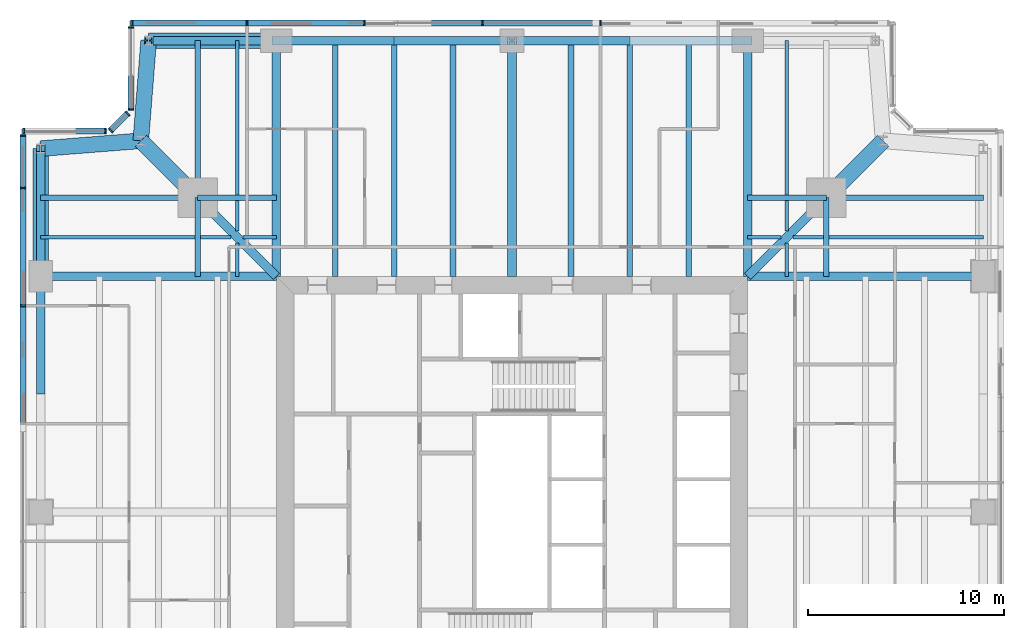
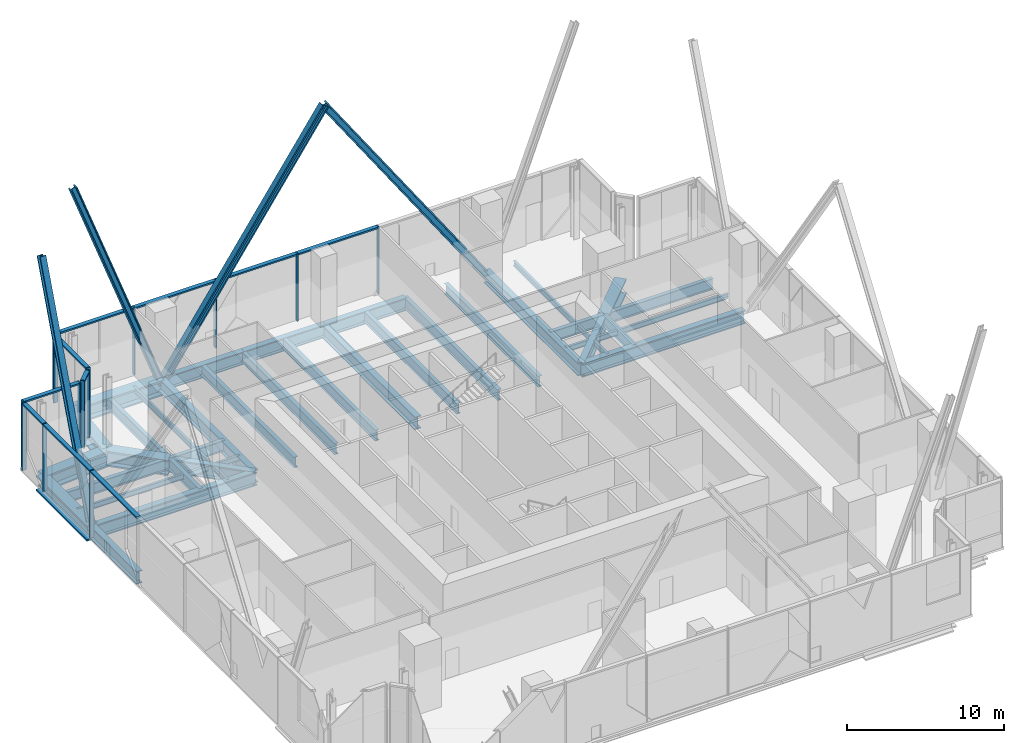
# One storey, part 4 of 14: 42 beams, 28 members, 5 elements without a shape of their own.
"""IFC4 building model written with IfcOpenShell, lengths in metres."""

import ifcopenshell
import ifcopenshell.guid

model = None  # the IFC model being written
_history = None  # IfcOwnerHistory: only IFC2X3 demands one
_inside = {}  # id of a spatial element -> (the spatial element, [elements in it])
_under = {}  # id of a project, library or spatial element -> (it, [spatial elements below it])
_declared = {}  # id of a project -> (the project, [libraries it declares])
_typed = {}  # id of a type object -> (the type object, [elements of that type])
_made_of = {}  # id of a material, layer set ... -> (it, [elements and type objects made of it])


def new_model(schema):
    """Start an empty IFC model of exactly this schema.

    Asked for "IFC4X3", IfcOpenShell would pick the latest addendum, in which some entities
    have other attributes; the version numbers below select the first issue.
    IFC2X3 requires an IfcOwnerHistory on every rooted entity: one is made here for all.
    """
    global model, _history
    if schema == "IFC4X3":
        model = ifcopenshell.file(schema_version=(4, 3, 0, 0))
    else:
        model = ifcopenshell.file(schema=schema)
    _inside.clear()
    _under.clear()
    _declared.clear()
    _typed.clear()
    _made_of.clear()
    _history = None
    if model.schema == "IFC2X3":
        org = make("IfcOrganization", Name="unknown")
        user = make(
            "IfcPersonAndOrganization",
            ThePerson=make("IfcPerson", FamilyName="unknown"),
            TheOrganization=org,
        )
        app = make(
            "IfcApplication",
            ApplicationDeveloper=org,
            Version="unknown",
            ApplicationFullName="unknown",
            ApplicationIdentifier="unknown",
        )
        _history = make(
            "IfcOwnerHistory",
            OwningUser=user,
            OwningApplication=app,
            ChangeAction="ADDED",
            CreationDate=0,
        )
    return model


def make(cls, **values):
    """One entity of the class cls with the attributes given. An attribute that is None is left unset."""
    return model.create_entity(
        cls, **{name: value for name, value in values.items() if value is not None}
    )


def rooted(cls, **values):
    """An entity with a GlobalId (a new one), such as an element, a storey or a relation."""
    return make(cls, GlobalId=ifcopenshell.guid.new(), OwnerHistory=_history, **values)


def si_unit(unit_type, name, prefix=None):
    """IfcSIUnit, for example si_unit("LENGTHUNIT", "METRE", prefix="MILLI")."""
    return make("IfcSIUnit", UnitType=unit_type, Prefix=prefix, Name=name)


def assignment(units):
    """IfcUnitAssignment: the units of a project."""
    return None if units is None else make("IfcUnitAssignment", Units=units)


def point(xyz):
    """IfcCartesianPoint."""
    return None if xyz is None else make("IfcCartesianPoint", Coordinates=xyz)


def direction(xyz):
    """IfcDirection."""
    return None if xyz is None else make("IfcDirection", DirectionRatios=xyz)


def frame(location, z_axis=None, x_axis=None):
    """IfcAxis2Placement3D, a coordinate frame: its origin and axes. An axis left out is left unset."""
    return make(
        "IfcAxis2Placement3D",
        Location=point(location),
        Axis=direction(z_axis),
        RefDirection=direction(x_axis),
    )


def frame_2d(location, x_axis=None):
    """IfcAxis2Placement2D, a coordinate frame in the plane: its origin and x axis."""
    return make(
        "IfcAxis2Placement2D", Location=point(location), RefDirection=direction(x_axis)
    )


def origin():
    """The frame at (0, 0, 0) with its axes left unset."""
    return frame((0.0, 0.0, 0.0))


def origin_2d():
    """The frame at (0, 0) in the plane with its x axis left unset."""
    return frame_2d((0.0, 0.0))


def place(relative_to, where):
    """IfcLocalPlacement: puts the frame where relative to a parent placement (None: the world)."""
    return make(
        "IfcLocalPlacement", PlacementRelTo=relative_to, RelativePlacement=where
    )


def context(
    kind, dimensions, precision=None, world=None, true_north=None, identifier=None
):
    """IfcGeometricRepresentationContext, for example the 3D "Model" context."""
    return make(
        "IfcGeometricRepresentationContext",
        ContextIdentifier=identifier,
        ContextType=kind,
        CoordinateSpaceDimension=dimensions,
        Precision=precision,
        WorldCoordinateSystem=world,
        TrueNorth=true_north,
    )


def subcontext(parent, identifier, kind, view, scale=None):
    """IfcGeometricRepresentationSubContext, for example "Body" below "Model"."""
    return make(
        "IfcGeometricRepresentationSubContext",
        ContextIdentifier=identifier,
        ContextType=kind,
        ParentContext=parent,
        TargetScale=scale,
        TargetView=view,
    )


def project(units=None, contexts=None):
    """IfcProject with its units and contexts."""
    return rooted(
        "IfcProject",
        Name="project",
        RepresentationContexts=contexts,
        UnitsInContext=assignment(units),
    )


def spatial(cls, under=None, at=None, **own):
    """A site, building, storey or space (cls), placed at a placement, below another one or the project."""
    s = rooted(cls, ObjectPlacement=at, **own)
    if under is not None:
        _under.setdefault(under.id(), (under, []))[1].append(s)
    return s


def profile(cls, at=None, kind="AREA", **sizes):
    """A parametric profile (cls). Its sizes go by their IFC names, for example OverallWidth=200.0."""
    return make(cls, ProfileType=kind, Position=at, **sizes)


def rectangle(**sizes):
    """IfcRectangleProfileDef."""
    return profile("IfcRectangleProfileDef", **sizes)


def i_section(**sizes):
    """IfcIShapeProfileDef."""
    return profile("IfcIShapeProfileDef", **sizes)


def extrude(swept, where, along, depth):
    """IfcExtrudedAreaSolid: the profile swept, set in the frame where, extruded along a direction by depth."""
    return make(
        "IfcExtrudedAreaSolid",
        SweptArea=swept,
        Position=where,
        ExtrudedDirection=direction(along),
        Depth=depth,
    )


def shape(context_of_items, identifier, shape_type, items):
    """IfcShapeRepresentation: the items that make up one representation, for example the "Body"."""
    return make(
        "IfcShapeRepresentation",
        ContextOfItems=context_of_items,
        RepresentationIdentifier=identifier,
        RepresentationType=shape_type,
        Items=items,
    )


def material(Name=None, Category=None):
    """IfcMaterial."""
    return make("IfcMaterial", Name=Name, Category=Category)


def material_profile(
    of_material, cross_section, Name=None, Category=None, Priority=None
):
    """IfcMaterialProfile: a cross section and its material."""
    return make(
        "IfcMaterialProfile",
        Name=Name,
        Material=of_material,
        Profile=cross_section,
        Priority=Priority,
        Category=Category,
    )


def profile_set(profiles, Name=None, composite=None):
    """IfcMaterialProfileSet."""
    return make(
        "IfcMaterialProfileSet",
        Name=Name,
        MaterialProfiles=profiles,
        CompositeProfile=composite,
    )


def made_of(thing, what):
    """Note that an element or type object is made of a material, layer set ...; save() writes the relation."""
    if what is not None:
        _made_of.setdefault(what.id(), (what, []))[1].append(thing)
    return thing


def type_object(cls, material=None, **own):
    """A type object (cls), such as IfcWallType, which elements share."""
    return made_of(rooted(cls, **own), material)


def element(
    cls,
    number,
    at=None,
    inside=None,
    cuts=None,
    type_object=None,
    material=None,
    context=None,
    identifier="Body",
    shape_type=None,
    held_by="IfcProductDefinitionShape",
    body=None,
    shapes=None,
    **own,
):
    """One element of the class cls, such as IfcWall. Its Tag is "e" and its number.

    at: its placement. inside: the storey or other place that contains it. cuts: it is an
    opening in that element (IfcRelVoidsElement). A single representation is given by context,
    identifier, shape_type and body (its items); several are given by shapes. held_by: the class
    of the entity that holds the representations. save() writes the other relations.
    """
    e = rooted(cls, Tag="e%d" % number, ObjectPlacement=at, **own)
    if body is not None:
        shapes = [shape(context, identifier, shape_type, body)]
    if shapes is not None:
        e.Representation = make(held_by, Representations=shapes)
    if inside is not None:
        _inside.setdefault(inside.id(), (inside, []))[1].append(e)
    if cuts is not None:
        rooted(
            "IfcRelVoidsElement", RelatingBuildingElement=cuts, RelatedOpeningElement=e
        )
    if type_object is not None:
        _typed.setdefault(type_object.id(), (type_object, []))[1].append(e)
    return made_of(e, material)


def aggregate(whole, parts):
    """IfcRelAggregates: a whole, such as a stair, and the parts it consists of."""
    return rooted("IfcRelAggregates", RelatingObject=whole, RelatedObjects=parts)


def save(model, path):
    """Write the relations noted so far, then the file.

    IfcRelAggregates (storeys below a building ...), IfcRelContainedInSpatialStructure (elements
    in a storey), IfcRelDefinesByType, IfcRelAssociatesMaterial and IfcRelDeclares: one each for
    every whole, place, type object, material and project.
    """
    for whole, parts in _under.values():
        aggregate(whole, parts)
    for where, things in _inside.values():
        rooted(
            "IfcRelContainedInSpatialStructure",
            RelatedElements=things,
            RelatingStructure=where,
        )
    for kind, things in _typed.values():
        rooted("IfcRelDefinesByType", RelatedObjects=things, RelatingType=kind)
    for what, things in _made_of.values():
        rooted("IfcRelAssociatesMaterial", RelatedObjects=things, RelatingMaterial=what)
    for by, libraries in _declared.values():
        rooted("IfcRelDeclares", RelatingContext=by, RelatedDefinitions=libraries)
    model.write(path)


model = new_model("IFC4")

# Units and contexts
model_context = context("Model", 3, precision=1e-05, world=origin(), true_north=direction((0.0, 1.0)))
body_context = subcontext(model_context, "Body", "Model", "MODEL_VIEW")
ifc_project = project(units=[si_unit("LENGTHUNIT", "METRE"), si_unit("AREAUNIT", "SQUARE_METRE"), si_unit("VOLUMEUNIT", "CUBIC_METRE"), si_unit("PLANEANGLEUNIT", "RADIAN"), si_unit("MASSUNIT", "GRAM", prefix="KILO")], contexts=[model_context])

# Site, building, storey
site_placement = place(None, origin())
site = spatial("IfcSite", under=ifc_project, at=site_placement, CompositionType="ELEMENT")
building_placement = place(site_placement, origin())
building = spatial("IfcBuilding", under=site, at=building_placement, Name="Fenwick Lantern Interchange", CompositionType="ELEMENT")
storey_placement = place(building_placement, frame((0.0, 0.0, 168.39990234375)))
storey = spatial("IfcBuildingStorey", under=building, at=storey_placement, Name="L39", CompositionType="ELEMENT", Elevation=168.39990234375)

# Members
ifc_material_1 = material(Name="Steel ASTM A992 Grade 50", Category="steel")
ifc_material_profile_1 = material_profile(ifc_material_1, i_section(OverallWidth=0.424072265625, OverallDepth=0.47509765625, WebThickness=0.0478515625, FlangeThickness=0.0771484375, at=origin_2d()), Name="W14X426")
ifc_profile_set_1 = profile_set([ifc_material_profile_1], Name="Steel ASTM A992 Grade 50")
member_type_1 = type_object("IfcMemberType", Name="FACADE BRACE W14X426", PredefinedType="BRACE", material=ifc_profile_set_1)
for number, where, z_axis, x_axis, name in (
    (1, (13.0, 49.0, -0.696533203125), (-0.348348807467, 0.0, 0.93736498139), (0.0, -1.0, 0.0), "L39/FB/N/BE"),
    (2, (1.0, 37.0, -0.696533203125), (0.0, 0.348348807467, 0.93736498139), (-1.0, 0.0, 0.0), "L39/FB/W/AE"),
):
    element("IfcMember", number, at=place(storey_placement, frame(where, z_axis=z_axis, x_axis=x_axis)), inside=storey, type_object=member_type_1, Name=name, PredefinedType="BRACE", context=body_context, shape_type="SweptSolid", body=[
        extrude(i_section(OverallWidth=0.424072265625, OverallDepth=0.47509765625, WebThickness=0.0478515625, FlangeThickness=0.0771484375, at=origin_2d()), origin(), (0.0, 0.0, 1.0), 18.659423828125),
    ])
ifc_material_profile_2 = material_profile(ifc_material_1, i_section(OverallWidth=0.44189453125, OverallDepth=0.53076171875, WebThickness=0.06591796875, FlangeThickness=0.105712890625, at=origin_2d()), Name="W14X605")
ifc_profile_set_2 = profile_set([ifc_material_profile_2], Name="Steel ASTM A992 Grade 50")
member_type_2 = type_object("IfcMemberType", Name="FACADE BRACE W14X605", PredefinedType="BRACE", material=ifc_profile_set_2)
for number, where, z_axis, x_axis, name in (
    (3, (37.0, 49.0, -0.696533203125), (-0.565732332995, 0.0, 0.824588944507), (0.0, -1.0, 0.0), "L39/FB/N/A"),
    (4, (13.0, 49.0, -0.696533203125), (0.565732332995, 0.0, 0.824588944507), (0.0, 1.0, 0.0), "L39/FB/N/B"),
):
    element("IfcMember", number, at=place(storey_placement, frame(where, z_axis=z_axis, x_axis=x_axis)), inside=storey, type_object=member_type_2, Name=name, PredefinedType="BRACE", context=body_context, shape_type="SweptSolid", body=[
        extrude(i_section(OverallWidth=0.44189453125, OverallDepth=0.53076171875, WebThickness=0.06591796875, FlangeThickness=0.105712890625, at=origin_2d()), origin(), (0.0, 0.0, 1.0), 21.21142578125),
    ])

# Beams
ifc_material_profile_3 = material_profile(ifc_material_1, i_section(OverallWidth=0.2919921875, OverallDepth=0.845703125, WebThickness=0.015380859375, FlangeThickness=0.0244140625, at=origin_2d()), Name="W33X141")
ifc_profile_set_3 = profile_set([ifc_material_profile_3], Name="Steel ASTM A992 Grade 50")
beam_type_1 = type_object("IfcBeamType", Name="FLOOR BEAM W33X141", PredefinedType="BEAM", material=ifc_profile_set_3)
for number, where, z_axis, x_axis, name in (
    (5, (34.0, 49.0, -0.622802734375), (0.0, -1.0, 0.0), (1.0, 0.0, 0.0), "L39/FR/N/R02"),
    (6, (31.0, 49.0, -0.622802734375), (0.0, -1.0, 0.0), (1.0, 0.0, 0.0), "L39/FR/N/R03"),
    (7, (28.0, 49.0, -0.622802734375), (0.0, -1.0, 0.0), (1.0, 0.0, 0.0), "L39/FR/N/R04"),
    (8, (22.0, 49.0, -0.622802734375), (0.0, -1.0, 0.0), (1.0, 0.0, 0.0), "L39/FR/N/R06"),
    (9, (19.0, 49.0, -0.622802734375), (0.0, -1.0, 0.0), (1.0, 0.0, 0.0), "L39/FR/N/R07"),
    (10, (16.0, 49.0, -0.622802734375), (0.0, -1.0, 0.0), (1.0, 0.0, 0.0), "L39/FR/N/R08"),
):
    element("IfcBeam", number, at=place(storey_placement, frame(where, z_axis=z_axis, x_axis=x_axis)), inside=storey, type_object=beam_type_1, Name=name, PredefinedType="BEAM", context=body_context, shape_type="SweptSolid", body=[
        extrude(i_section(OverallWidth=0.2919921875, OverallDepth=0.845703125, WebThickness=0.015380859375, FlangeThickness=0.0244140625, at=origin_2d()), origin(), (0.0, 0.0, 1.0), 12.0),
    ])
ifc_material_profile_4 = material_profile(ifc_material_1, i_section(OverallWidth=0.177734375, OverallDepth=0.406494140625, WebThickness=0.0078125, FlangeThickness=0.012939453125, at=origin_2d()), Name="W16X40")
ifc_profile_set_4 = profile_set([ifc_material_profile_4], Name="Steel ASTM A992 Grade 50")
beam_type_2 = type_object("IfcBeamType", Name="INFILL BEAM W16X40", PredefinedType="JOIST", material=ifc_profile_set_4)
beam_1_placement = place(storey_placement, frame((39.0, 49.0, -0.403076171875), z_axis=(0.0, -1.0, 0.0), x_axis=(1.0, 0.0, 0.0)))
element("IfcBeam", 11, at=beam_1_placement, inside=storey, type_object=beam_type_2, Name="L39/FR/N/J1", PredefinedType="JOIST", context=body_context, shape_type="SweptSolid", body=[
    extrude(i_section(OverallWidth=0.177734375, OverallDepth=0.406494140625, WebThickness=0.0078125, FlangeThickness=0.012939453125, at=origin_2d()), origin(), (0.0, 0.0, 1.0), 7.85400390625),
])
beam_2_placement = place(storey_placement, frame((39.0, 40.85400390625, -0.403076171875), z_axis=(0.0, -1.0, 0.0), x_axis=(1.0, 0.0, 0.0)))
element("IfcBeam", 12, at=beam_2_placement, inside=storey, type_object=beam_type_2, Name="L39/FR/N/J2", PredefinedType="JOIST", context=body_context, shape_type="SweptSolid", body=[
    extrude(i_section(OverallWidth=0.177734375, OverallDepth=0.406494140625, WebThickness=0.0078125, FlangeThickness=0.012939453125, at=origin_2d()), origin(), (0.0, 0.0, 1.0), 1.537841796875),
])
beam_3_placement = place(storey_placement, frame((39.0, 38.683837890625, -0.403076171875), z_axis=(0.0, -1.0, 0.0), x_axis=(1.0, 0.0, 0.0)))
element("IfcBeam", 13, at=beam_3_placement, inside=storey, type_object=beam_type_2, Name="L39/FR/N/J6", PredefinedType="JOIST", context=body_context, shape_type="SweptSolid", body=[
    extrude(i_section(OverallWidth=0.177734375, OverallDepth=0.406494140625, WebThickness=0.0078125, FlangeThickness=0.012939453125, at=origin_2d()), origin(), (0.0, 0.0, 1.0), 1.683837890625),
])
beam_4_placement = place(storey_placement, frame((49.0, 39.0, -0.403076171875), z_axis=(-1.0, 0.0, 0.0), x_axis=(0.0, -1.0, 0.0)))
element("IfcBeam", 14, at=beam_4_placement, inside=storey, type_object=beam_type_2, Name="L39/FR/N/J3", PredefinedType="JOIST", context=body_context, shape_type="SweptSolid", body=[
    extrude(i_section(OverallWidth=0.177734375, OverallDepth=0.406494140625, WebThickness=0.0078125, FlangeThickness=0.012939453125, at=origin_2d()), origin(), (0.0, 0.0, 1.0), 7.85400390625),
])
beam_5_placement = place(storey_placement, frame((40.85400390625, 39.0, -0.403076171875), z_axis=(-1.0, 0.0, 0.0), x_axis=(0.0, -1.0, 0.0)))
element("IfcBeam", 15, at=beam_5_placement, inside=storey, type_object=beam_type_2, Name="L39/FR/N/J4", PredefinedType="JOIST", context=body_context, shape_type="SweptSolid", body=[
    extrude(i_section(OverallWidth=0.177734375, OverallDepth=0.406494140625, WebThickness=0.0078125, FlangeThickness=0.012939453125, at=origin_2d()), origin(), (0.0, 0.0, 1.0), 1.537841796875),
])
beam_6_placement = place(storey_placement, frame((38.683837890625, 39.0, -0.403076171875), z_axis=(-1.0, 0.0, 0.0), x_axis=(0.0, -1.0, 0.0)))
element("IfcBeam", 16, at=beam_6_placement, inside=storey, type_object=beam_type_2, Name="L39/FR/N/J5", PredefinedType="JOIST", context=body_context, shape_type="SweptSolid", body=[
    extrude(i_section(OverallWidth=0.177734375, OverallDepth=0.406494140625, WebThickness=0.0078125, FlangeThickness=0.012939453125, at=origin_2d()), origin(), (0.0, 0.0, 1.0), 1.683837890625),
])
beam_7_placement = place(storey_placement, frame((1.0, 39.0, -0.403076171875), z_axis=(1.0, 0.0, 0.0), x_axis=(0.0, 1.0, 0.0)))
element("IfcBeam", 17, at=beam_7_placement, inside=storey, type_object=beam_type_2, Name="L39/FR/W/J1", PredefinedType="JOIST", context=body_context, shape_type="SweptSolid", body=[
    extrude(i_section(OverallWidth=0.177734375, OverallDepth=0.406494140625, WebThickness=0.0078125, FlangeThickness=0.012939453125, at=origin_2d()), origin(), (0.0, 0.0, 1.0), 7.85400390625),
])
beam_8_placement = place(storey_placement, frame((9.14599609375, 39.0, -0.403076171875), z_axis=(1.0, 0.0, 0.0), x_axis=(0.0, 1.0, 0.0)))
element("IfcBeam", 18, at=beam_8_placement, inside=storey, type_object=beam_type_2, Name="L39/FR/W/J2", PredefinedType="JOIST", context=body_context, shape_type="SweptSolid", body=[
    extrude(i_section(OverallWidth=0.177734375, OverallDepth=0.406494140625, WebThickness=0.0078125, FlangeThickness=0.012939453125, at=origin_2d()), origin(), (0.0, 0.0, 1.0), 1.537841796875),
])
beam_9_placement = place(storey_placement, frame((11.316162109375, 39.0, -0.403076171875), z_axis=(1.0, 0.0, 0.0), x_axis=(0.0, 1.0, 0.0)))
element("IfcBeam", 19, at=beam_9_placement, inside=storey, type_object=beam_type_2, Name="L39/FR/W/J6", PredefinedType="JOIST", context=body_context, shape_type="SweptSolid", body=[
    extrude(i_section(OverallWidth=0.177734375, OverallDepth=0.406494140625, WebThickness=0.0078125, FlangeThickness=0.012939453125, at=origin_2d()), origin(), (0.0, 0.0, 1.0), 1.683837890625),
])
beam_10_placement = place(storey_placement, frame((11.0, 49.0, -0.403076171875), z_axis=(0.0, -1.0, 0.0), x_axis=(1.0, 0.0, 0.0)))
element("IfcBeam", 20, at=beam_10_placement, inside=storey, type_object=beam_type_2, Name="L39/FR/W/J3", PredefinedType="JOIST", context=body_context, shape_type="SweptSolid", body=[
    extrude(i_section(OverallWidth=0.177734375, OverallDepth=0.406494140625, WebThickness=0.0078125, FlangeThickness=0.012939453125, at=origin_2d()), origin(), (0.0, 0.0, 1.0), 7.85400390625),
])
beam_11_placement = place(storey_placement, frame((11.0, 40.85400390625, -0.403076171875), z_axis=(0.0, -1.0, 0.0), x_axis=(1.0, 0.0, 0.0)))
element("IfcBeam", 21, at=beam_11_placement, inside=storey, type_object=beam_type_2, Name="L39/FR/W/J4", PredefinedType="JOIST", context=body_context, shape_type="SweptSolid", body=[
    extrude(i_section(OverallWidth=0.177734375, OverallDepth=0.406494140625, WebThickness=0.0078125, FlangeThickness=0.012939453125, at=origin_2d()), origin(), (0.0, 0.0, 1.0), 1.537841796875),
])
beam_12_placement = place(storey_placement, frame((11.0, 38.683837890625, -0.403076171875), z_axis=(0.0, -1.0, 0.0), x_axis=(1.0, 0.0, 0.0)))
element("IfcBeam", 22, at=beam_12_placement, inside=storey, type_object=beam_type_2, Name="L39/FR/W/J5", PredefinedType="JOIST", context=body_context, shape_type="SweptSolid", body=[
    extrude(i_section(OverallWidth=0.177734375, OverallDepth=0.406494140625, WebThickness=0.0078125, FlangeThickness=0.012939453125, at=origin_2d()), origin(), (0.0, 0.0, 1.0), 1.683837890625),
])
ifc_material_profile_5 = material_profile(ifc_material_1, i_section(OverallWidth=0.2919921875, OverallDepth=0.845703125, WebThickness=0.015380859375, FlangeThickness=0.0244140625, at=origin_2d()), Name="W33X141")
ifc_profile_set_5 = profile_set([ifc_material_profile_5], Name="Steel ASTM A992 Grade 50")
beam_type_3 = type_object("IfcBeamType", Name="MEGA COLUMN BEAM W33X141", PredefinedType="BEAM", material=ifc_profile_set_5)
beam_13_placement = place(storey_placement, frame((41.0, 41.0, -0.622802734375), z_axis=(1.0, 0.0, 0.0), x_axis=(0.0, 1.0, 0.0)))
element("IfcBeam", 23, at=beam_13_placement, inside=storey, type_object=beam_type_3, Name="L39/FR/N/MB2", PredefinedType="BEAM", context=body_context, shape_type="SweptSolid", body=[
    extrude(i_section(OverallWidth=0.2919921875, OverallDepth=0.845703125, WebThickness=0.015380859375, FlangeThickness=0.0244140625, at=origin_2d()), origin(), (0.0, 0.0, 1.0), 8.0),
])
for number, where, z_axis, x_axis, name in (
    (24, (41.0, 41.0, -0.622802734375), (-1.0, 0.0, 0.0), (0.0, -1.0, 0.0), "L39/FR/N/MB3"),
    (25, (41.0, 41.0, -0.622802734375), (0.0, -1.0, 0.0), (1.0, 0.0, 0.0), "L39/FR/N/MB4"),
):
    element("IfcBeam", number, at=place(storey_placement, frame(where, z_axis=z_axis, x_axis=x_axis)), inside=storey, type_object=beam_type_3, Name=name, PredefinedType="BEAM", context=body_context, shape_type="SweptSolid", body=[
        extrude(i_section(OverallWidth=0.2919921875, OverallDepth=0.845703125, WebThickness=0.015380859375, FlangeThickness=0.0244140625, at=origin_2d()), origin(), (0.0, 0.0, 1.0), 4.0),
    ])
for number, where, z_axis, x_axis, name in (
    (26, (9.0, 41.0, -0.622802734375), (-1.0, 0.0, 0.0), (0.0, -1.0, 0.0), "L39/FR/W/MB1"),
    (27, (9.0, 41.0, -0.622802734375), (0.0, 1.0, 0.0), (-1.0, 0.0, 0.0), "L39/FR/W/MB2"),
):
    element("IfcBeam", number, at=place(storey_placement, frame(where, z_axis=z_axis, x_axis=x_axis)), inside=storey, type_object=beam_type_3, Name=name, PredefinedType="BEAM", context=body_context, shape_type="SweptSolid", body=[
        extrude(i_section(OverallWidth=0.2919921875, OverallDepth=0.845703125, WebThickness=0.015380859375, FlangeThickness=0.0244140625, at=origin_2d()), origin(), (0.0, 0.0, 1.0), 8.0),
    ])
for number, where, z_axis, x_axis, name in (
    (28, (9.0, 41.0, -0.622802734375), (0.0, -1.0, 0.0), (1.0, 0.0, 0.0), "L39/FR/W/MB3"),
    (29, (9.0, 41.0, -0.622802734375), (1.0, 0.0, 0.0), (0.0, 1.0, 0.0), "L39/FR/W/MB4"),
):
    element("IfcBeam", number, at=place(storey_placement, frame(where, z_axis=z_axis, x_axis=x_axis)), inside=storey, type_object=beam_type_3, Name=name, PredefinedType="BEAM", context=body_context, shape_type="SweptSolid", body=[
        extrude(i_section(OverallWidth=0.2919921875, OverallDepth=0.845703125, WebThickness=0.015380859375, FlangeThickness=0.0244140625, at=origin_2d()), origin(), (0.0, 0.0, 1.0), 4.0),
    ])
ifc_material_profile_6 = material_profile(ifc_material_1, i_section(OverallWidth=0.434326171875, OverallDepth=0.9931640625, WebThickness=0.0380859375, FlangeThickness=0.06396484375, at=origin_2d()), Name="W36X487")
ifc_profile_set_6 = profile_set([ifc_material_profile_6], Name="Steel ASTM A992 Grade 50")
beam_type_4 = type_object("IfcBeamType", Name="MOMENT-CONNECTED GIRDER W36X487", PredefinedType="BEAM", material=ifc_profile_set_6)
for number, where, z_axis, x_axis, name in (
    (30, (37.0, 49.0, -0.696533203125), (0.0, -1.0, 0.0), (1.0, 0.0, 0.0), "L39/FR/N/R01"),
    (31, (25.0, 49.0, -0.696533203125), (0.0, -1.0, 0.0), (1.0, 0.0, 0.0), "L39/FR/N/R05"),
    (32, (13.0, 49.0, -0.696533203125), (0.0, -1.0, 0.0), (1.0, 0.0, 0.0), "L39/FR/N/R09"),
):
    element("IfcBeam", number, at=place(storey_placement, frame(where, z_axis=z_axis, x_axis=x_axis)), inside=storey, type_object=beam_type_4, Name=name, PredefinedType="BEAM", context=body_context, shape_type="SweptSolid", body=[
        extrude(i_section(OverallWidth=0.434326171875, OverallDepth=0.9931640625, WebThickness=0.0380859375, FlangeThickness=0.06396484375, at=origin_2d()), origin(), (0.0, 0.0, 1.0), 12.0),
    ])
ifc_material_profile_7 = material_profile(ifc_material_1, i_section(OverallWidth=0.447021484375, OverallDepth=1.0439453125, WebThickness=0.050048828125, FlangeThickness=0.08984375, at=origin_2d()), Name="W36X652")
ifc_profile_set_7 = profile_set([ifc_material_profile_7], Name="Steel ASTM A992 Grade 50")
beam_type_5 = type_object("IfcBeamType", Name="MOMENT-CONNECTED GIRDER W36X652", PredefinedType="BEAM", material=ifc_profile_set_7)
for number, where, z_axis, x_axis, name in (
    (33, (49.0, 37.0, -0.721923828125), (-1.0, 0.0, 0.0), (0.0, -1.0, 0.0), "L39/FR/E/R03"),
    (34, (1.0, 37.0, -0.721923828125), (1.0, 0.0, 0.0), (0.0, 1.0, 0.0), "L39/FR/W/R01"),
):
    element("IfcBeam", number, at=place(storey_placement, frame(where, z_axis=z_axis, x_axis=x_axis)), inside=storey, type_object=beam_type_5, Name=name, PredefinedType="BEAM", context=body_context, shape_type="SweptSolid", body=[
        extrude(i_section(OverallWidth=0.447021484375, OverallDepth=1.0439453125, WebThickness=0.050048828125, FlangeThickness=0.08984375, at=origin_2d()), origin(), (0.0, 0.0, 1.0), 12.0),
    ])
ifc_material_2 = material(Name="Steel ASTM A572 Grade 42", Category="steel")
ifc_material_profile_8 = material_profile(ifc_material_2, i_section(OverallWidth=0.800048828125, OverallDepth=1.199951171875, WebThickness=0.06005859375, FlangeThickness=0.1201171875, at=origin_2d()), Name="BU1200X800")
ifc_profile_set_8 = profile_set([ifc_material_profile_8], Name="Steel ASTM A572 Grade 42")
beam_type_6 = type_object("IfcBeamType", Name="MOMENT-CONNECTED TRANSFER GIRDER BU1200X800", PredefinedType="BEAM", material=ifc_profile_set_8)
beam_14_placement = place(storey_placement, frame((13.0, 49.0, -0.7998046875), z_axis=(-1.0, 0.0, 0.0), x_axis=(0.0, -1.0, 0.0)))
element("IfcBeam", 35, at=beam_14_placement, inside=storey, type_object=beam_type_6, Name="L39/FR/N/EB6", PredefinedType="BEAM", context=body_context, shape_type="SweptSolid", body=[
    extrude(i_section(OverallWidth=0.800048828125, OverallDepth=1.199951171875, WebThickness=0.06005859375, FlangeThickness=0.1201171875, at=origin_2d()), origin(), (0.0, 0.0, 1.0), 6.5),
])
for number, where, z_axis, x_axis, name in (
    (36, (6.5, 49.0, -0.7998046875), (-0.078170784639, -0.99693998236, 0.0), (0.99693998236, -0.078170784639, 0.0), "L39/FR/N/EBR1"),
    (37, (6.10009765625, 43.89990234375, -0.7998046875), (-0.99693998236, -0.078170784639, 0.0), (0.078170784639, -0.99693998236, 0.0), "L39/FR/N/EBR2"),
):
    element("IfcBeam", number, at=place(storey_placement, frame(where, z_axis=z_axis, x_axis=x_axis)), inside=storey, type_object=beam_type_6, Name=name, PredefinedType="BEAM", context=body_context, shape_type="SweptSolid", body=[
        extrude(i_section(OverallWidth=0.800048828125, OverallDepth=1.199951171875, WebThickness=0.06005859375, FlangeThickness=0.1201171875, at=origin_2d()), origin(), (0.0, 0.0, 1.0), 5.11572265625),
    ])
beam_15_placement = place(storey_placement, frame((41.0, 41.0, -0.7998046875), z_axis=(0.707106781187, 0.707106781187, 0.0), x_axis=(-0.707106781187, 0.707106781187, 0.0)))
element("IfcBeam", 38, at=beam_15_placement, inside=storey, type_object=beam_type_6, Name="L39/FR/N/TG", PredefinedType="BEAM", context=body_context, shape_type="SweptSolid", body=[
    extrude(i_section(OverallWidth=0.800048828125, OverallDepth=1.199951171875, WebThickness=0.06005859375, FlangeThickness=0.1201171875, at=origin_2d()), origin(), (0.0, 0.0, 1.0), 4.10107421875),
])
beam_16_placement = place(storey_placement, frame((1.0, 43.5, -0.7998046875), z_axis=(0.0, -1.0, 0.0), x_axis=(1.0, 0.0, 0.0)))
element("IfcBeam", 39, at=beam_16_placement, inside=storey, type_object=beam_type_6, Name="L39/FR/W/EB1", PredefinedType="BEAM", context=body_context, shape_type="SweptSolid", body=[
    extrude(i_section(OverallWidth=0.800048828125, OverallDepth=1.199951171875, WebThickness=0.06005859375, FlangeThickness=0.1201171875, at=origin_2d()), origin(), (0.0, 0.0, 1.0), 6.5),
])
beam_17_placement = place(storey_placement, frame((9.0, 41.0, -0.7998046875), z_axis=(-0.707106781187, 0.707106781187, 0.0), x_axis=(-0.707106781187, -0.707106781187, 0.0)))
element("IfcBeam", 40, at=beam_17_placement, inside=storey, type_object=beam_type_6, Name="L39/FR/W/TG", PredefinedType="BEAM", context=body_context, shape_type="SweptSolid", body=[
    extrude(i_section(OverallWidth=0.800048828125, OverallDepth=1.199951171875, WebThickness=0.06005859375, FlangeThickness=0.1201171875, at=origin_2d()), origin(), (0.0, 0.0, 1.0), 4.10107421875),
])
ifc_material_profile_9 = material_profile(ifc_material_1, i_section(OverallWidth=0.447021484375, OverallDepth=1.0439453125, WebThickness=0.050048828125, FlangeThickness=0.08984375, at=origin_2d()), Name="W36X652")
ifc_profile_set_9 = profile_set([ifc_material_profile_9], Name="Steel ASTM A992 Grade 50")
beam_type_7 = type_object("IfcBeamType", Name="OUTRIGGER CHORD W36X652", PredefinedType="BEAM", material=ifc_profile_set_9)
for number, where, z_axis, x_axis, name in (
    (41, (37.0, 37.0, -0.721923828125), (0.707106781187, 0.707106781187, 0.0), (-0.707106781187, 0.707106781187, 0.0), "L39/OR/N/TC"),
    (42, (13.0, 37.0, -0.721923828125), (-0.707106781187, 0.707106781187, 0.0), (-0.707106781187, -0.707106781187, 0.0), "L39/OR/W/TC"),
):
    element("IfcBeam", number, at=place(storey_placement, frame(where, z_axis=z_axis, x_axis=x_axis)), inside=storey, type_object=beam_type_7, Name=name, PredefinedType="BEAM", context=body_context, shape_type="SweptSolid", body=[
        extrude(i_section(OverallWidth=0.447021484375, OverallDepth=1.0439453125, WebThickness=0.050048828125, FlangeThickness=0.08984375, at=origin_2d()), origin(), (0.0, 0.0, 1.0), 5.65673828125),
    ])

# Curtain wall, members
ifc_material_3 = material(Name="Aluminium curtain wall frame", Category="aluminium")
curtain_wall_type = type_object("IfcCurtainWallType", Name="SKY LOBBY GLAZING", PredefinedType="USERDEFINED", material=ifc_material_3)
curtain_wall_1_placement = place(storey_placement, origin())
curtain_wall_1 = element("IfcCurtainWall", 43, at=curtain_wall_1_placement, inside=storey, type_object=curtain_wall_type, Name="Sky lobby glazing 09", ObjectType="SKY LOBBY GLAZING", PredefinedType="USERDEFINED")
ifc_material_4 = material(Name="Aluminium extrusion", Category="aluminium")
ifc_material_profile_10 = material_profile(ifc_material_4, rectangle(XDim=0.300048828125, YDim=0.080078125, at=origin_2d()), Name="SKY LOBBY GLAZING MULLION 80 X 300")
ifc_profile_set_10 = profile_set([ifc_material_profile_10], Name="Aluminium extrusion")
member_type_3 = type_object("IfcMemberType", Name="SKY LOBBY GLAZING MULLION 80 X 300", PredefinedType="MULLION", material=ifc_profile_set_10)
member_1_placement = place(storey_placement, frame((29.5, 49.89990234375, 0.0), z_axis=(0.0, 0.0, 1.0), x_axis=(0.0, -1.0, 0.0)))
member_1 = element("IfcMember", 44, at=member_1_placement, type_object=member_type_3, Name="L39/CW/09/M03", PredefinedType="MULLION", context=body_context, shape_type="SweptSolid", body=[
    extrude(rectangle(XDim=0.300048828125, YDim=0.080078125, at=origin_2d()), origin(), (0.0, 0.0, 1.0), 5.25),
])
member_2_placement = place(storey_placement, frame((23.5, 49.89990234375, 0.0), z_axis=(0.0, 0.0, 1.0), x_axis=(0.0, -1.0, 0.0)))
member_2 = element("IfcMember", 45, at=member_2_placement, type_object=member_type_3, Name="L39/CW/09/M04", PredefinedType="MULLION", context=body_context, shape_type="SweptSolid", body=[
    extrude(rectangle(XDim=0.300048828125, YDim=0.080078125, at=origin_2d()), origin(), (0.0, 0.0, 1.0), 5.25),
])
member_3_placement = place(storey_placement, frame((17.5, 49.89990234375, 0.0), z_axis=(0.0, 0.0, 1.0), x_axis=(0.0, -1.0, 0.0)))
member_3 = element("IfcMember", 46, at=member_3_placement, type_object=member_type_3, Name="L39/CW/09/M05", PredefinedType="MULLION", context=body_context, shape_type="SweptSolid", body=[
    extrude(rectangle(XDim=0.300048828125, YDim=0.080078125, at=origin_2d()), origin(), (0.0, 0.0, 1.0), 5.25),
])
member_4_placement = place(storey_placement, frame((11.5, 49.89990234375, 0.0), z_axis=(0.0, 0.0, 1.0), x_axis=(0.0, -1.0, 0.0)))
member_4 = element("IfcMember", 47, at=member_4_placement, type_object=member_type_3, Name="L39/CW/09/M06", PredefinedType="MULLION", context=body_context, shape_type="SweptSolid", body=[
    extrude(rectangle(XDim=0.300048828125, YDim=0.080078125, at=origin_2d()), origin(), (0.0, 0.0, 1.0), 5.25),
])
member_5_placement = place(storey_placement, frame((5.639892578125, 49.89990234375, 0.0), z_axis=(0.0, 0.0, 1.0), x_axis=(0.0, -1.0, 0.0)))
member_5 = element("IfcMember", 48, at=member_5_placement, type_object=member_type_3, Name="L39/CW/09/M07", PredefinedType="MULLION", context=body_context, shape_type="SweptSolid", body=[
    extrude(rectangle(XDim=0.300048828125, YDim=0.080078125, at=origin_2d()), origin(), (0.0, 0.0, 1.0), 5.25),
])

curtain_wall_2_placement = place(storey_placement, origin())
curtain_wall_2 = element("IfcCurtainWall", 49, at=curtain_wall_2_placement, inside=storey, type_object=curtain_wall_type, Name="Sky lobby glazing 10", ObjectType="SKY LOBBY GLAZING", PredefinedType="USERDEFINED")
member_6_placement = place(storey_placement, frame((5.60009765625, 49.659912109375, 0.0), z_axis=(0.0, 0.0, 1.0), x_axis=(1.0, 0.0, 0.0)))
member_6 = element("IfcMember", 50, at=member_6_placement, type_object=member_type_3, Name="L39/CW/10/M00", PredefinedType="MULLION", context=body_context, shape_type="SweptSolid", body=[
    extrude(rectangle(XDim=0.300048828125, YDim=0.080078125, at=origin_2d()), origin(), (0.0, 0.0, 1.0), 5.25),
])
member_7_placement = place(storey_placement, frame((5.60009765625, 45.49853515625, 0.0), z_axis=(0.0, 0.0, 1.0), x_axis=(1.0, 0.0, 0.0)))
member_7 = element("IfcMember", 51, at=member_7_placement, type_object=member_type_3, Name="L39/CW/10/M01", PredefinedType="MULLION", context=body_context, shape_type="SweptSolid", body=[
    extrude(rectangle(XDim=0.300048828125, YDim=0.080078125, at=origin_2d()), origin(), (0.0, 0.0, 1.0), 5.25),
])

curtain_wall_3_placement = place(storey_placement, origin())
curtain_wall_3 = element("IfcCurtainWall", 52, at=curtain_wall_3_placement, inside=storey, type_object=curtain_wall_type, Name="Sky lobby glazing 11", ObjectType="SKY LOBBY GLAZING", PredefinedType="USERDEFINED")
member_8_placement = place(storey_placement, frame((5.43017578125, 45.288818359375, 0.0), z_axis=(0.0, 0.0, 1.0), x_axis=(0.707106781187, -0.707106781187, 0.0)))
member_8 = element("IfcMember", 53, at=member_8_placement, type_object=member_type_3, Name="L39/CW/11/M00", PredefinedType="MULLION", context=body_context, shape_type="SweptSolid", body=[
    extrude(rectangle(XDim=0.300048828125, YDim=0.080078125, at=origin_2d()), origin(), (0.0, 0.0, 1.0), 5.25),
])
member_9_placement = place(storey_placement, frame((4.56982421875, 44.42822265625, 0.0), z_axis=(0.0, 0.0, 1.0), x_axis=(0.707106781187, -0.707106781187, 0.0)))
member_9 = element("IfcMember", 54, at=member_9_placement, type_object=member_type_3, Name="L39/CW/11/M01", PredefinedType="MULLION", context=body_context, shape_type="SweptSolid", body=[
    extrude(rectangle(XDim=0.300048828125, YDim=0.080078125, at=origin_2d()), origin(), (0.0, 0.0, 1.0), 5.25),
])

curtain_wall_4_placement = place(storey_placement, origin())
curtain_wall_4 = element("IfcCurtainWall", 55, at=curtain_wall_4_placement, inside=storey, type_object=curtain_wall_type, Name="Sky lobby glazing 12", ObjectType="SKY LOBBY GLAZING", PredefinedType="USERDEFINED")
member_10_placement = place(storey_placement, frame((4.301513671875, 44.39990234375, 0.0), z_axis=(0.0, 0.0, 1.0), x_axis=(0.0, -1.0, 0.0)))
member_10 = element("IfcMember", 56, at=member_10_placement, type_object=member_type_3, Name="L39/CW/12/M00", PredefinedType="MULLION", context=body_context, shape_type="SweptSolid", body=[
    extrude(rectangle(XDim=0.300048828125, YDim=0.080078125, at=origin_2d()), origin(), (0.0, 0.0, 1.0), 5.25),
])
member_11_placement = place(storey_placement, frame((0.139892578125, 44.39990234375, 0.0), z_axis=(0.0, 0.0, 1.0), x_axis=(0.0, -1.0, 0.0)))
member_11 = element("IfcMember", 57, at=member_11_placement, type_object=member_type_3, Name="L39/CW/12/M01", PredefinedType="MULLION", context=body_context, shape_type="SweptSolid", body=[
    extrude(rectangle(XDim=0.300048828125, YDim=0.080078125, at=origin_2d()), origin(), (0.0, 0.0, 1.0), 5.25),
])

curtain_wall_5_placement = place(storey_placement, origin())
curtain_wall_5 = element("IfcCurtainWall", 58, at=curtain_wall_5_placement, inside=storey, type_object=curtain_wall_type, Name="Sky lobby glazing 13", ObjectType="SKY LOBBY GLAZING", PredefinedType="USERDEFINED")
member_12_placement = place(storey_placement, frame((0.10009765625, 44.159912109375, 0.0), z_axis=(0.0, 0.0, 1.0), x_axis=(1.0, 0.0, 0.0)))
member_12 = element("IfcMember", 59, at=member_12_placement, type_object=member_type_3, Name="L39/CW/13/M00", PredefinedType="MULLION", context=body_context, shape_type="SweptSolid", body=[
    extrude(rectangle(XDim=0.300048828125, YDim=0.080078125, at=origin_2d()), origin(), (0.0, 0.0, 1.0), 5.25),
])
member_13_placement = place(storey_placement, frame((0.10009765625, 41.5, 0.0), z_axis=(0.0, 0.0, 1.0), x_axis=(1.0, 0.0, 0.0)))
member_13 = element("IfcMember", 60, at=member_13_placement, type_object=member_type_3, Name="L39/CW/13/M01", PredefinedType="MULLION", context=body_context, shape_type="SweptSolid", body=[
    extrude(rectangle(XDim=0.300048828125, YDim=0.080078125, at=origin_2d()), origin(), (0.0, 0.0, 1.0), 5.25),
])
member_14_placement = place(storey_placement, frame((0.10009765625, 35.5, 0.0), z_axis=(0.0, 0.0, 1.0), x_axis=(1.0, 0.0, 0.0)))
member_14 = element("IfcMember", 61, at=member_14_placement, type_object=member_type_3, Name="L39/CW/13/M02", PredefinedType="MULLION", context=body_context, shape_type="SweptSolid", body=[
    extrude(rectangle(XDim=0.300048828125, YDim=0.080078125, at=origin_2d()), origin(), (0.0, 0.0, 1.0), 5.25),
])

# Member
ifc_material_profile_11 = material_profile(ifc_material_4, rectangle(XDim=0.300048828125, YDim=0.1201171875, at=origin_2d()), Name="SKY LOBBY GLAZING TRANSOM 120 X 300")
ifc_profile_set_11 = profile_set([ifc_material_profile_11], Name="Aluminium extrusion")
member_type_4 = type_object("IfcMemberType", Name="SKY LOBBY GLAZING TRANSOM 120 X 300", PredefinedType="MULLION", material=ifc_profile_set_11)
member_15_placement = place(storey_placement, frame((29.4599609375, 49.89990234375, 5.190185546875), z_axis=(-1.0, 0.0, 0.0), x_axis=(0.0, -1.0, 0.0)))
member_15 = element("IfcMember", 62, at=member_15_placement, type_object=member_type_4, Name="L39/CW/09/T03", PredefinedType="MULLION", context=body_context, shape_type="SweptSolid", body=[
    extrude(rectangle(XDim=0.300048828125, YDim=0.1201171875, at=origin_2d()), origin(), (0.0, 0.0, 1.0), 5.919921875),
])

member_16_placement = place(storey_placement, frame((23.4599609375, 49.89990234375, 5.190185546875), z_axis=(-1.0, 0.0, 0.0), x_axis=(0.0, -1.0, 0.0)))
member_16 = element("IfcMember", 63, at=member_16_placement, type_object=member_type_4, Name="L39/CW/09/T04", PredefinedType="MULLION", context=body_context, shape_type="SweptSolid", body=[
    extrude(rectangle(XDim=0.300048828125, YDim=0.1201171875, at=origin_2d()), origin(), (0.0, 0.0, 1.0), 5.919921875),
])

member_17_placement = place(storey_placement, frame((17.4599609375, 49.89990234375, 5.190185546875), z_axis=(-1.0, 0.0, 0.0), x_axis=(0.0, -1.0, 0.0)))
member_17 = element("IfcMember", 64, at=member_17_placement, type_object=member_type_4, Name="L39/CW/09/T05", PredefinedType="MULLION", context=body_context, shape_type="SweptSolid", body=[
    extrude(rectangle(XDim=0.300048828125, YDim=0.1201171875, at=origin_2d()), origin(), (0.0, 0.0, 1.0), 5.919921875),
])

member_18_placement = place(storey_placement, frame((11.4599609375, 49.89990234375, 5.190185546875), z_axis=(-1.0, 0.0, 0.0), x_axis=(0.0, -1.0, 0.0)))
member_18 = element("IfcMember", 65, at=member_18_placement, type_object=member_type_4, Name="L39/CW/09/T06", PredefinedType="MULLION", context=body_context, shape_type="SweptSolid", body=[
    extrude(rectangle(XDim=0.300048828125, YDim=0.1201171875, at=origin_2d()), origin(), (0.0, 0.0, 1.0), 5.780029296875),
])

aggregate(curtain_wall_1, [member_1, member_2, member_3, member_4, member_5, member_15, member_16, member_17, member_18])

member_19_placement = place(storey_placement, frame((5.60009765625, 49.6201171875, 5.190185546875), z_axis=(0.0, -1.0, 0.0), x_axis=(1.0, 0.0, 0.0)))
member_19 = element("IfcMember", 66, at=member_19_placement, type_object=member_type_4, Name="L39/CW/10/T00", PredefinedType="MULLION", context=body_context, shape_type="SweptSolid", body=[
    extrude(rectangle(XDim=0.300048828125, YDim=0.1201171875, at=origin_2d()), origin(), (0.0, 0.0, 1.0), 4.08154296875),
])

aggregate(curtain_wall_2, [member_6, member_7, member_19])

member_20_placement = place(storey_placement, frame((5.402099609375, 45.260498046875, 5.190185546875), z_axis=(-0.707214121873, -0.706999424203, 0.0), x_axis=(0.706999424203, -0.707214121873, 0.0)))
member_20 = element("IfcMember", 67, at=member_20_placement, type_object=member_type_4, Name="L39/CW/11/T00", PredefinedType="MULLION", context=body_context, shape_type="SweptSolid", body=[
    extrude(rectangle(XDim=0.300048828125, YDim=0.1201171875, at=origin_2d()), origin(), (0.0, 0.0, 1.0), 1.13720703125),
])

aggregate(curtain_wall_3, [member_8, member_9, member_20])

member_21_placement = place(storey_placement, frame((4.261474609375, 44.39990234375, 5.190185546875), z_axis=(-1.0, 0.0, 0.0), x_axis=(0.0, -1.0, 0.0)))
member_21 = element("IfcMember", 68, at=member_21_placement, type_object=member_type_4, Name="L39/CW/12/T00", PredefinedType="MULLION", context=body_context, shape_type="SweptSolid", body=[
    extrude(rectangle(XDim=0.300048828125, YDim=0.1201171875, at=origin_2d()), origin(), (0.0, 0.0, 1.0), 4.08154296875),
])

aggregate(curtain_wall_4, [member_10, member_11, member_21])

member_22_placement = place(storey_placement, frame((0.10009765625, 44.1201171875, 5.190185546875), z_axis=(0.0, -1.0, 0.0), x_axis=(1.0, 0.0, 0.0)))
member_22 = element("IfcMember", 69, at=member_22_placement, type_object=member_type_4, Name="L39/CW/13/T00", PredefinedType="MULLION", context=body_context, shape_type="SweptSolid", body=[
    extrude(rectangle(XDim=0.300048828125, YDim=0.1201171875, at=origin_2d()), origin(), (0.0, 0.0, 1.0), 2.580078125),
])

member_23_placement = place(storey_placement, frame((0.10009765625, 41.4599609375, 5.190185546875), z_axis=(0.0, -1.0, 0.0), x_axis=(1.0, 0.0, 0.0)))
member_23 = element("IfcMember", 70, at=member_23_placement, type_object=member_type_4, Name="L39/CW/13/T01", PredefinedType="MULLION", context=body_context, shape_type="SweptSolid", body=[
    extrude(rectangle(XDim=0.300048828125, YDim=0.1201171875, at=origin_2d()), origin(), (0.0, 0.0, 1.0), 5.919921875),
])

member_24_placement = place(storey_placement, frame((0.10009765625, 35.4599609375, 5.190185546875), z_axis=(0.0, -1.0, 0.0), x_axis=(1.0, 0.0, 0.0)))
member_24 = element("IfcMember", 71, at=member_24_placement, type_object=member_type_4, Name="L39/CW/13/T02", PredefinedType="MULLION", context=body_context, shape_type="SweptSolid", body=[
    extrude(rectangle(XDim=0.300048828125, YDim=0.1201171875, at=origin_2d()), origin(), (0.0, 0.0, 1.0), 5.919921875),
])

aggregate(curtain_wall_5, [member_12, member_13, member_14, member_22, member_23, member_24])

# Beams
ifc_material_profile_12 = material_profile(ifc_material_1, i_section(OverallWidth=0.434326171875, OverallDepth=0.9931640625, WebThickness=0.0380859375, FlangeThickness=0.06396484375, at=origin_2d()), Name="W36X487")
ifc_profile_set_12 = profile_set([ifc_material_profile_12], Name="Steel ASTM A992 Grade 50")
beam_type_8 = type_object("IfcBeamType", Name="TRUSS CHORD EDGE BEAM W36X487", PredefinedType="BEAM", material=ifc_profile_set_12)
for number, where, z_axis, x_axis, name in (
    (72, (31.0, 49.0, -0.696533203125), (-1.0, 0.0, 0.0), (0.0, -1.0, 0.0), "L39/FR/N/EB3"),
    (73, (25.0, 49.0, -0.696533203125), (-1.0, 0.0, 0.0), (0.0, -1.0, 0.0), "L39/FR/N/EB4"),
    (74, (19.0, 49.0, -0.696533203125), (-1.0, 0.0, 0.0), (0.0, -1.0, 0.0), "L39/FR/N/EB5"),
    (75, (1.0, 37.0, -0.696533203125), (0.0, -1.0, 0.0), (1.0, 0.0, 0.0), "L39/FR/W/EB2"),
):
    element("IfcBeam", number, at=place(storey_placement, frame(where, z_axis=z_axis, x_axis=x_axis)), inside=storey, type_object=beam_type_8, Name=name, PredefinedType="BEAM", context=body_context, shape_type="SweptSolid", body=[
        extrude(i_section(OverallWidth=0.434326171875, OverallDepth=0.9931640625, WebThickness=0.0380859375, FlangeThickness=0.06396484375, at=origin_2d()), origin(), (0.0, 0.0, 1.0), 6.0),
    ])

save(model, "model.ifc")
